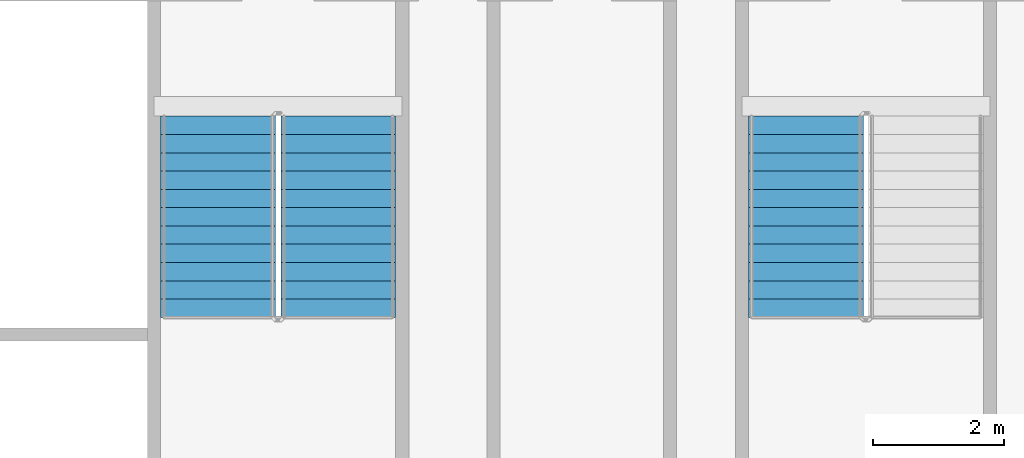
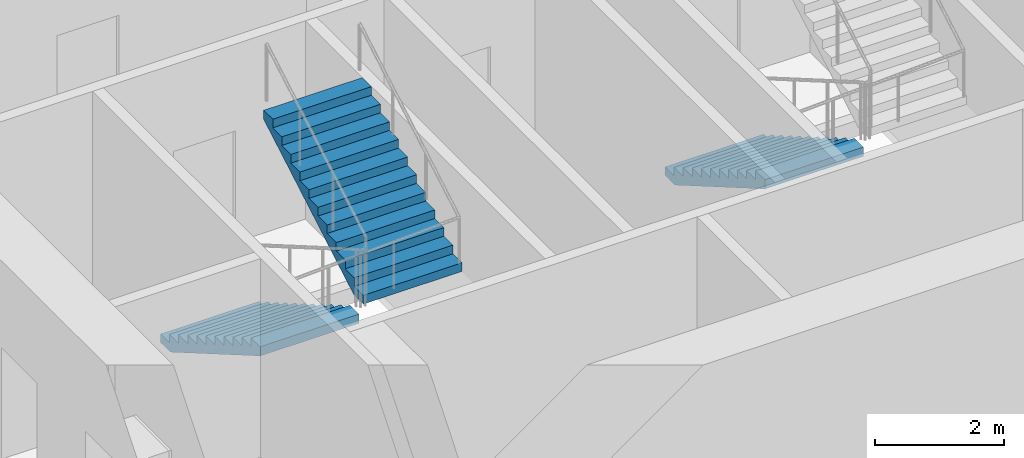
# One storey, part 8 of 15: 3 stair flights, 2 elements without a shape of their own.
"""IFC4 building model written with IfcOpenShell, lengths in metres."""

from ifc_helpers import new_model, si_unit, direction, frame, origin, place, context, subcontext, project, spatial, faceted_brep, material, type_object, element, aggregate, save


model = new_model("IFC4")

# Units and contexts
model_context = context("Model", 3, precision=1e-05, world=origin(), true_north=direction((0.0, 1.0)))
body_context = subcontext(model_context, "Body", "Model", "MODEL_VIEW")
ifc_project = project(units=[si_unit("LENGTHUNIT", "METRE"), si_unit("AREAUNIT", "SQUARE_METRE"), si_unit("VOLUMEUNIT", "CUBIC_METRE"), si_unit("PLANEANGLEUNIT", "RADIAN"), si_unit("MASSUNIT", "GRAM", prefix="KILO")], contexts=[model_context])

# Site, building, storey
site_placement = place(None, origin())
site = spatial("IfcSite", under=ifc_project, at=site_placement, CompositionType="ELEMENT")
building_placement = place(site_placement, origin())
building = spatial("IfcBuilding", under=site, at=building_placement, Name="Tarsis Ring Headquarters", CompositionType="ELEMENT")
storey_placement = place(building_placement, frame((0.0, 0.0, 51.699951171875)))
storey = spatial("IfcBuildingStorey", under=building, at=storey_placement, Name="L10", CompositionType="ELEMENT", Elevation=51.699951171875)

# Stair, stair flights
ifc_material_1 = material(Name="Core stair 1760")
stair_type = type_object("IfcStairType", Name="Core stair 1760", PredefinedType="HALF_TURN_STAIR", material=ifc_material_1)
stair_1_placement = place(storey_placement, origin())
stair_1 = element("IfcStair", 1, at=stair_1_placement, inside=storey, type_object=stair_type, Name="L10 Exit stair C", PredefinedType="HALF_TURN_STAIR")
ifc_material_2 = material(Name="Concrete C40/50", Category="concrete")
stair_flight_type = type_object("IfcStairFlightType", Name="Core stair flight 1760", PredefinedType="STRAIGHT", material=ifc_material_2)
stair_flight_1_placement = place(storey_placement, frame((-5.419921875, -3.659912109375, 0.0), z_axis=(0.0, 0.0, 1.0), x_axis=(0.0, -1.0, 0.0)))
stair_flight_1 = element("IfcStairFlight", 2, at=stair_flight_1_placement, type_object=stair_flight_type, Name="Stair ST3 flight 1", NumberOfRisers=12, NumberOfTreads=11, PredefinedType="STRAIGHT", RiserHeight=0.1625, TreadLength=0.28, context=body_context, shape_type="Brep", body=[
    faceted_brep([(0.0, 0.8798828125, 0.0), (0.0, 0.8798828125, 0.16259765625), (0.280029296875, 0.8798828125, 0.16259765625), (0.280029296875, 0.8798828125, 0.324951171875), (0.56005859375, 0.8798828125, 0.324951171875), (0.56005859375, 0.8798828125, 0.487548828125), (0.840087890625, 0.8798828125, 0.487548828125), (0.840087890625, 0.8798828125, 0.64990234375), (1.1201171875, 0.8798828125, 0.64990234375), (1.1201171875, 0.8798828125, 0.8125), (1.39990234375, 0.8798828125, 0.8125), (1.39990234375, 0.8798828125, 0.97509765625), (1.679931640625, 0.8798828125, 0.97509765625), (1.679931640625, 0.8798828125, 1.137451171875), (1.9599609375, 0.8798828125, 1.137451171875), (1.9599609375, 0.8798828125, 1.300048828125), (2.239990234375, 0.8798828125, 1.300048828125), (2.239990234375, 0.8798828125, 1.46240234375), (2.52001953125, 0.8798828125, 1.46240234375), (2.52001953125, 0.8798828125, 1.625), (2.800048828125, 0.8798828125, 1.625), (2.800048828125, 0.8798828125, 1.78759765625), (3.080078125, 0.8798828125, 1.78759765625), (3.080078125, 0.8798828125, 1.6142578125), (0.298583984375, 0.8798828125, 0.0), (0.298583984375, -0.8798828125, 0.0), (3.080078125, -0.8798828125, 1.6142578125), (3.080078125, -0.8798828125, 1.78759765625), (2.800048828125, -0.8798828125, 1.78759765625), (2.800048828125, -0.8798828125, 1.625), (2.52001953125, -0.8798828125, 1.625), (2.52001953125, -0.8798828125, 1.46240234375), (2.239990234375, -0.8798828125, 1.46240234375), (2.239990234375, -0.8798828125, 1.300048828125), (1.9599609375, -0.8798828125, 1.300048828125), (1.9599609375, -0.8798828125, 1.137451171875), (1.679931640625, -0.8798828125, 1.137451171875), (1.679931640625, -0.8798828125, 0.97509765625), (1.39990234375, -0.8798828125, 0.97509765625), (1.39990234375, -0.8798828125, 0.8125), (1.1201171875, -0.8798828125, 0.8125), (1.1201171875, -0.8798828125, 0.64990234375), (0.840087890625, -0.8798828125, 0.64990234375), (0.840087890625, -0.8798828125, 0.487548828125), (0.56005859375, -0.8798828125, 0.487548828125), (0.56005859375, -0.8798828125, 0.324951171875), (0.280029296875, -0.8798828125, 0.324951171875), (0.280029296875, -0.8798828125, 0.16259765625), (0.0, -0.8798828125, 0.16259765625), (0.0, -0.8798828125, 0.0), (0.0, -0.43994140625, 0.16259765625), (0.0, -0.43994140625, 0.0), (0.0, 0.0, 0.16259765625), (0.0, 0.0, 0.0), (0.0, 0.43994140625, 0.16259765625), (0.0, 0.43994140625, 0.0), (0.280029296875, -0.43994140625, 0.16259765625), (0.280029296875, 0.0, 0.16259765625), (0.280029296875, 0.43994140625, 0.16259765625), (0.280029296875, -0.43994140625, 0.324951171875), (0.280029296875, 0.0, 0.324951171875), (0.280029296875, 0.43994140625, 0.324951171875), (0.56005859375, -0.43994140625, 0.324951171875), (0.56005859375, 0.0, 0.324951171875), (0.56005859375, 0.43994140625, 0.324951171875), (0.56005859375, -0.43994140625, 0.487548828125), (0.56005859375, 0.0, 0.487548828125), (0.56005859375, 0.43994140625, 0.487548828125), (0.840087890625, -0.43994140625, 0.487548828125), (0.840087890625, 0.0, 0.487548828125), (0.840087890625, 0.43994140625, 0.487548828125), (0.840087890625, -0.43994140625, 0.64990234375), (0.840087890625, 0.0, 0.64990234375), (0.840087890625, 0.43994140625, 0.64990234375), (1.1201171875, -0.43994140625, 0.64990234375), (1.1201171875, 0.0, 0.64990234375), (1.1201171875, 0.43994140625, 0.64990234375), (1.1201171875, -0.43994140625, 0.8125), (1.1201171875, 0.0, 0.8125), (1.1201171875, 0.43994140625, 0.8125), (1.39990234375, -0.43994140625, 0.8125), (1.39990234375, 0.0, 0.8125), (1.39990234375, 0.43994140625, 0.8125), (1.39990234375, -0.43994140625, 0.97509765625), (1.39990234375, 0.0, 0.97509765625), (1.39990234375, 0.43994140625, 0.97509765625), (1.679931640625, -0.43994140625, 0.97509765625), (1.679931640625, 0.0, 0.97509765625), (1.679931640625, 0.43994140625, 0.97509765625), (1.679931640625, -0.43994140625, 1.137451171875), (1.679931640625, 0.0, 1.137451171875), (1.679931640625, 0.43994140625, 1.137451171875), (1.9599609375, -0.43994140625, 1.137451171875), (1.9599609375, 0.0, 1.137451171875), (1.9599609375, 0.43994140625, 1.137451171875), (1.9599609375, -0.43994140625, 1.300048828125), (1.9599609375, 0.0, 1.300048828125), (1.9599609375, 0.43994140625, 1.300048828125), (2.239990234375, -0.43994140625, 1.300048828125), (2.239990234375, 0.0, 1.300048828125), (2.239990234375, 0.43994140625, 1.300048828125), (2.239990234375, -0.43994140625, 1.46240234375), (2.239990234375, 0.0, 1.46240234375), (2.239990234375, 0.43994140625, 1.46240234375), (2.52001953125, -0.43994140625, 1.46240234375), (2.52001953125, 0.0, 1.46240234375), (2.52001953125, 0.43994140625, 1.46240234375), (2.52001953125, -0.43994140625, 1.625), (2.52001953125, 0.0, 1.625), (2.52001953125, 0.43994140625, 1.625), (2.800048828125, -0.43994140625, 1.625), (2.800048828125, 0.0, 1.625), (2.800048828125, 0.43994140625, 1.625), (2.800048828125, -0.43994140625, 1.78759765625), (2.800048828125, 0.0, 1.78759765625), (2.800048828125, 0.43994140625, 1.78759765625), (3.080078125, -0.43994140625, 1.78759765625), (3.080078125, 0.0, 1.78759765625), (3.080078125, 0.43994140625, 1.78759765625), (3.080078125, -0.43994140625, 1.6142578125), (3.080078125, 0.0, 1.6142578125), (3.080078125, 0.43994140625, 1.6142578125), (0.298583984375, -0.43994140625, 0.0), (0.298583984375, 0.0, 0.0), (0.298583984375, 0.43994140625, 0.0)], [[[0, 1, 2, 3, 4, 5, 6, 7, 8, 9, 10, 11, 12, 13, 14, 15, 16, 17, 18, 19, 20, 21, 22, 23, 24]], [[25, 26, 27, 28, 29, 30, 31, 32, 33, 34, 35, 36, 37, 38, 39, 40, 41, 42, 43, 44, 45, 46, 47, 48, 49]], [[49, 48, 50, 51]], [[51, 50, 52, 53]], [[53, 52, 54, 55]], [[55, 54, 1, 0]], [[48, 47, 56, 50]], [[50, 56, 57, 52]], [[52, 57, 58, 54]], [[54, 58, 2, 1]], [[47, 46, 59, 56]], [[56, 59, 60, 57]], [[57, 60, 61, 58]], [[58, 61, 3, 2]], [[46, 45, 62, 59]], [[59, 62, 63, 60]], [[60, 63, 64, 61]], [[61, 64, 4, 3]], [[45, 44, 65, 62]], [[62, 65, 66, 63]], [[63, 66, 67, 64]], [[64, 67, 5, 4]], [[44, 43, 68, 65]], [[65, 68, 69, 66]], [[66, 69, 70, 67]], [[67, 70, 6, 5]], [[43, 42, 71, 68]], [[68, 71, 72, 69]], [[69, 72, 73, 70]], [[70, 73, 7, 6]], [[42, 41, 74, 71]], [[71, 74, 75, 72]], [[72, 75, 76, 73]], [[73, 76, 8, 7]], [[41, 40, 77, 74]], [[74, 77, 78, 75]], [[75, 78, 79, 76]], [[76, 79, 9, 8]], [[40, 39, 80, 77]], [[77, 80, 81, 78]], [[78, 81, 82, 79]], [[79, 82, 10, 9]], [[39, 38, 83, 80]], [[80, 83, 84, 81]], [[81, 84, 85, 82]], [[82, 85, 11, 10]], [[38, 37, 86, 83]], [[83, 86, 87, 84]], [[84, 87, 88, 85]], [[85, 88, 12, 11]], [[37, 36, 89, 86]], [[86, 89, 90, 87]], [[87, 90, 91, 88]], [[88, 91, 13, 12]], [[36, 35, 92, 89]], [[89, 92, 93, 90]], [[90, 93, 94, 91]], [[91, 94, 14, 13]], [[35, 34, 95, 92]], [[92, 95, 96, 93]], [[93, 96, 97, 94]], [[94, 97, 15, 14]], [[34, 33, 98, 95]], [[95, 98, 99, 96]], [[96, 99, 100, 97]], [[97, 100, 16, 15]], [[33, 32, 101, 98]], [[98, 101, 102, 99]], [[99, 102, 103, 100]], [[100, 103, 17, 16]], [[32, 31, 104, 101]], [[101, 104, 105, 102]], [[102, 105, 106, 103]], [[103, 106, 18, 17]], [[31, 30, 107, 104]], [[104, 107, 108, 105]], [[105, 108, 109, 106]], [[106, 109, 19, 18]], [[30, 29, 110, 107]], [[107, 110, 111, 108]], [[108, 111, 112, 109]], [[109, 112, 20, 19]], [[29, 28, 113, 110]], [[110, 113, 114, 111]], [[111, 114, 115, 112]], [[112, 115, 21, 20]], [[28, 27, 116, 113]], [[113, 116, 117, 114]], [[114, 117, 118, 115]], [[115, 118, 22, 21]], [[27, 26, 119, 116]], [[116, 119, 120, 117]], [[117, 120, 121, 118]], [[118, 121, 23, 22]], [[26, 25, 122, 119]], [[119, 122, 123, 120]], [[120, 123, 124, 121]], [[121, 124, 24, 23]], [[25, 49, 51, 122]], [[122, 51, 53, 123]], [[123, 53, 55, 124]], [[124, 55, 0, 24]]]),
])
stair_flight_2_placement = place(storey_placement, frame((-3.580078125, -6.739990234375, 1.949951171875), z_axis=(0.0, 0.0, 1.0), x_axis=(0.0, 1.0, 0.0)))
stair_flight_2 = element("IfcStairFlight", 3, at=stair_flight_2_placement, type_object=stair_flight_type, Name="Stair ST3 flight 2", NumberOfRisers=12, NumberOfTreads=11, PredefinedType="STRAIGHT", RiserHeight=0.1625, TreadLength=0.28, context=body_context, shape_type="Brep", body=[
    faceted_brep([(0.0, 0.8798828125, 0.0), (0.0, 0.8798828125, 0.16259765625), (0.280029296875, 0.8798828125, 0.16259765625), (0.280029296875, 0.8798828125, 0.324951171875), (0.56005859375, 0.8798828125, 0.324951171875), (0.56005859375, 0.8798828125, 0.487548828125), (0.840087890625, 0.8798828125, 0.487548828125), (0.840087890625, 0.8798828125, 0.64990234375), (1.1201171875, 0.8798828125, 0.64990234375), (1.1201171875, 0.8798828125, 0.8125), (1.39990234375, 0.8798828125, 0.8125), (1.39990234375, 0.8798828125, 0.97509765625), (1.679931640625, 0.8798828125, 0.97509765625), (1.679931640625, 0.8798828125, 1.137451171875), (1.9599609375, 0.8798828125, 1.137451171875), (1.9599609375, 0.8798828125, 1.300048828125), (2.239990234375, 0.8798828125, 1.300048828125), (2.239990234375, 0.8798828125, 1.46240234375), (2.52001953125, 0.8798828125, 1.46240234375), (2.52001953125, 0.8798828125, 1.625), (2.800048828125, 0.8798828125, 1.625), (2.800048828125, 0.8798828125, 1.78759765625), (3.080078125, 0.8798828125, 1.78759765625), (3.080078125, 0.8798828125, 1.6142578125), (0.298583984375, 0.8798828125, 0.0), (0.298583984375, -0.8798828125, 0.0), (3.080078125, -0.8798828125, 1.6142578125), (3.080078125, -0.8798828125, 1.78759765625), (2.800048828125, -0.8798828125, 1.78759765625), (2.800048828125, -0.8798828125, 1.625), (2.52001953125, -0.8798828125, 1.625), (2.52001953125, -0.8798828125, 1.46240234375), (2.239990234375, -0.8798828125, 1.46240234375), (2.239990234375, -0.8798828125, 1.300048828125), (1.9599609375, -0.8798828125, 1.300048828125), (1.9599609375, -0.8798828125, 1.137451171875), (1.679931640625, -0.8798828125, 1.137451171875), (1.679931640625, -0.8798828125, 0.97509765625), (1.39990234375, -0.8798828125, 0.97509765625), (1.39990234375, -0.8798828125, 0.8125), (1.1201171875, -0.8798828125, 0.8125), (1.1201171875, -0.8798828125, 0.64990234375), (0.840087890625, -0.8798828125, 0.64990234375), (0.840087890625, -0.8798828125, 0.487548828125), (0.56005859375, -0.8798828125, 0.487548828125), (0.56005859375, -0.8798828125, 0.324951171875), (0.280029296875, -0.8798828125, 0.324951171875), (0.280029296875, -0.8798828125, 0.16259765625), (0.0, -0.8798828125, 0.16259765625), (0.0, -0.8798828125, 0.0), (0.0, -0.43994140625, 0.16259765625), (0.0, -0.43994140625, 0.0), (0.0, 0.0, 0.16259765625), (0.0, 0.0, 0.0), (0.0, 0.43994140625, 0.16259765625), (0.0, 0.43994140625, 0.0), (0.280029296875, -0.43994140625, 0.16259765625), (0.280029296875, 0.0, 0.16259765625), (0.280029296875, 0.43994140625, 0.16259765625), (0.280029296875, -0.43994140625, 0.324951171875), (0.280029296875, 0.0, 0.324951171875), (0.280029296875, 0.43994140625, 0.324951171875), (0.56005859375, -0.43994140625, 0.324951171875), (0.56005859375, 0.0, 0.324951171875), (0.56005859375, 0.43994140625, 0.324951171875), (0.56005859375, -0.43994140625, 0.487548828125), (0.56005859375, 0.0, 0.487548828125), (0.56005859375, 0.43994140625, 0.487548828125), (0.840087890625, -0.43994140625, 0.487548828125), (0.840087890625, 0.0, 0.487548828125), (0.840087890625, 0.43994140625, 0.487548828125), (0.840087890625, -0.43994140625, 0.64990234375), (0.840087890625, 0.0, 0.64990234375), (0.840087890625, 0.43994140625, 0.64990234375), (1.1201171875, -0.43994140625, 0.64990234375), (1.1201171875, 0.0, 0.64990234375), (1.1201171875, 0.43994140625, 0.64990234375), (1.1201171875, -0.43994140625, 0.8125), (1.1201171875, 0.0, 0.8125), (1.1201171875, 0.43994140625, 0.8125), (1.39990234375, -0.43994140625, 0.8125), (1.39990234375, 0.0, 0.8125), (1.39990234375, 0.43994140625, 0.8125), (1.39990234375, -0.43994140625, 0.97509765625), (1.39990234375, 0.0, 0.97509765625), (1.39990234375, 0.43994140625, 0.97509765625), (1.679931640625, -0.43994140625, 0.97509765625), (1.679931640625, 0.0, 0.97509765625), (1.679931640625, 0.43994140625, 0.97509765625), (1.679931640625, -0.43994140625, 1.137451171875), (1.679931640625, 0.0, 1.137451171875), (1.679931640625, 0.43994140625, 1.137451171875), (1.9599609375, -0.43994140625, 1.137451171875), (1.9599609375, 0.0, 1.137451171875), (1.9599609375, 0.43994140625, 1.137451171875), (1.9599609375, -0.43994140625, 1.300048828125), (1.9599609375, 0.0, 1.300048828125), (1.9599609375, 0.43994140625, 1.300048828125), (2.239990234375, -0.43994140625, 1.300048828125), (2.239990234375, 0.0, 1.300048828125), (2.239990234375, 0.43994140625, 1.300048828125), (2.239990234375, -0.43994140625, 1.46240234375), (2.239990234375, 0.0, 1.46240234375), (2.239990234375, 0.43994140625, 1.46240234375), (2.52001953125, -0.43994140625, 1.46240234375), (2.52001953125, 0.0, 1.46240234375), (2.52001953125, 0.43994140625, 1.46240234375), (2.52001953125, -0.43994140625, 1.625), (2.52001953125, 0.0, 1.625), (2.52001953125, 0.43994140625, 1.625), (2.800048828125, -0.43994140625, 1.625), (2.800048828125, 0.0, 1.625), (2.800048828125, 0.43994140625, 1.625), (2.800048828125, -0.43994140625, 1.78759765625), (2.800048828125, 0.0, 1.78759765625), (2.800048828125, 0.43994140625, 1.78759765625), (3.080078125, -0.43994140625, 1.78759765625), (3.080078125, 0.0, 1.78759765625), (3.080078125, 0.43994140625, 1.78759765625), (3.080078125, -0.43994140625, 1.6142578125), (3.080078125, 0.0, 1.6142578125), (3.080078125, 0.43994140625, 1.6142578125), (0.298583984375, -0.43994140625, 0.0), (0.298583984375, 0.0, 0.0), (0.298583984375, 0.43994140625, 0.0)], [[[0, 1, 2, 3, 4, 5, 6, 7, 8, 9, 10, 11, 12, 13, 14, 15, 16, 17, 18, 19, 20, 21, 22, 23, 24]], [[25, 26, 27, 28, 29, 30, 31, 32, 33, 34, 35, 36, 37, 38, 39, 40, 41, 42, 43, 44, 45, 46, 47, 48, 49]], [[49, 48, 50, 51]], [[51, 50, 52, 53]], [[53, 52, 54, 55]], [[55, 54, 1, 0]], [[48, 47, 56, 50]], [[50, 56, 57, 52]], [[52, 57, 58, 54]], [[54, 58, 2, 1]], [[47, 46, 59, 56]], [[56, 59, 60, 57]], [[57, 60, 61, 58]], [[58, 61, 3, 2]], [[46, 45, 62, 59]], [[59, 62, 63, 60]], [[60, 63, 64, 61]], [[61, 64, 4, 3]], [[45, 44, 65, 62]], [[62, 65, 66, 63]], [[63, 66, 67, 64]], [[64, 67, 5, 4]], [[44, 43, 68, 65]], [[65, 68, 69, 66]], [[66, 69, 70, 67]], [[67, 70, 6, 5]], [[43, 42, 71, 68]], [[68, 71, 72, 69]], [[69, 72, 73, 70]], [[70, 73, 7, 6]], [[42, 41, 74, 71]], [[71, 74, 75, 72]], [[72, 75, 76, 73]], [[73, 76, 8, 7]], [[41, 40, 77, 74]], [[74, 77, 78, 75]], [[75, 78, 79, 76]], [[76, 79, 9, 8]], [[40, 39, 80, 77]], [[77, 80, 81, 78]], [[78, 81, 82, 79]], [[79, 82, 10, 9]], [[39, 38, 83, 80]], [[80, 83, 84, 81]], [[81, 84, 85, 82]], [[82, 85, 11, 10]], [[38, 37, 86, 83]], [[83, 86, 87, 84]], [[84, 87, 88, 85]], [[85, 88, 12, 11]], [[37, 36, 89, 86]], [[86, 89, 90, 87]], [[87, 90, 91, 88]], [[88, 91, 13, 12]], [[36, 35, 92, 89]], [[89, 92, 93, 90]], [[90, 93, 94, 91]], [[91, 94, 14, 13]], [[35, 34, 95, 92]], [[92, 95, 96, 93]], [[93, 96, 97, 94]], [[94, 97, 15, 14]], [[34, 33, 98, 95]], [[95, 98, 99, 96]], [[96, 99, 100, 97]], [[97, 100, 16, 15]], [[33, 32, 101, 98]], [[98, 101, 102, 99]], [[99, 102, 103, 100]], [[100, 103, 17, 16]], [[32, 31, 104, 101]], [[101, 104, 105, 102]], [[102, 105, 106, 103]], [[103, 106, 18, 17]], [[31, 30, 107, 104]], [[104, 107, 108, 105]], [[105, 108, 109, 106]], [[106, 109, 19, 18]], [[30, 29, 110, 107]], [[107, 110, 111, 108]], [[108, 111, 112, 109]], [[109, 112, 20, 19]], [[29, 28, 113, 110]], [[110, 113, 114, 111]], [[111, 114, 115, 112]], [[112, 115, 21, 20]], [[28, 27, 116, 113]], [[113, 116, 117, 114]], [[114, 117, 118, 115]], [[115, 118, 22, 21]], [[27, 26, 119, 116]], [[116, 119, 120, 117]], [[117, 120, 121, 118]], [[118, 121, 23, 22]], [[26, 25, 122, 119]], [[119, 122, 123, 120]], [[120, 123, 124, 121]], [[121, 124, 24, 23]], [[25, 49, 51, 122]], [[122, 51, 53, 123]], [[123, 53, 55, 124]], [[124, 55, 0, 24]]]),
])
aggregate(stair_1, [stair_flight_1, stair_flight_2])

# Stair, stair flight
stair_2_placement = place(storey_placement, origin())
stair_2 = element("IfcStair", 4, at=stair_2_placement, inside=storey, type_object=stair_type, Name="L10 Exit stair D", PredefinedType="HALF_TURN_STAIR")
stair_flight_3_placement = place(storey_placement, frame((3.580078125, -3.659912109375, 0.0), z_axis=(0.0, 0.0, 1.0), x_axis=(0.0, -1.0, 0.0)))
stair_flight_3 = element("IfcStairFlight", 5, at=stair_flight_3_placement, type_object=stair_flight_type, Name="Stair ST4 flight 1", NumberOfRisers=12, NumberOfTreads=11, PredefinedType="STRAIGHT", RiserHeight=0.1625, TreadLength=0.28, context=body_context, shape_type="Brep", body=[
    faceted_brep([(0.0, 0.8798828125, 0.0), (0.0, 0.8798828125, 0.16259765625), (0.280029296875, 0.8798828125, 0.16259765625), (0.280029296875, 0.8798828125, 0.324951171875), (0.56005859375, 0.8798828125, 0.324951171875), (0.56005859375, 0.8798828125, 0.487548828125), (0.840087890625, 0.8798828125, 0.487548828125), (0.840087890625, 0.8798828125, 0.64990234375), (1.1201171875, 0.8798828125, 0.64990234375), (1.1201171875, 0.8798828125, 0.8125), (1.39990234375, 0.8798828125, 0.8125), (1.39990234375, 0.8798828125, 0.97509765625), (1.679931640625, 0.8798828125, 0.97509765625), (1.679931640625, 0.8798828125, 1.137451171875), (1.9599609375, 0.8798828125, 1.137451171875), (1.9599609375, 0.8798828125, 1.300048828125), (2.239990234375, 0.8798828125, 1.300048828125), (2.239990234375, 0.8798828125, 1.46240234375), (2.52001953125, 0.8798828125, 1.46240234375), (2.52001953125, 0.8798828125, 1.625), (2.800048828125, 0.8798828125, 1.625), (2.800048828125, 0.8798828125, 1.78759765625), (3.080078125, 0.8798828125, 1.78759765625), (3.080078125, 0.8798828125, 1.6142578125), (0.298583984375, 0.8798828125, 0.0), (0.298583984375, -0.8798828125, 0.0), (3.080078125, -0.8798828125, 1.6142578125), (3.080078125, -0.8798828125, 1.78759765625), (2.800048828125, -0.8798828125, 1.78759765625), (2.800048828125, -0.8798828125, 1.625), (2.52001953125, -0.8798828125, 1.625), (2.52001953125, -0.8798828125, 1.46240234375), (2.239990234375, -0.8798828125, 1.46240234375), (2.239990234375, -0.8798828125, 1.300048828125), (1.9599609375, -0.8798828125, 1.300048828125), (1.9599609375, -0.8798828125, 1.137451171875), (1.679931640625, -0.8798828125, 1.137451171875), (1.679931640625, -0.8798828125, 0.97509765625), (1.39990234375, -0.8798828125, 0.97509765625), (1.39990234375, -0.8798828125, 0.8125), (1.1201171875, -0.8798828125, 0.8125), (1.1201171875, -0.8798828125, 0.64990234375), (0.840087890625, -0.8798828125, 0.64990234375), (0.840087890625, -0.8798828125, 0.487548828125), (0.56005859375, -0.8798828125, 0.487548828125), (0.56005859375, -0.8798828125, 0.324951171875), (0.280029296875, -0.8798828125, 0.324951171875), (0.280029296875, -0.8798828125, 0.16259765625), (0.0, -0.8798828125, 0.16259765625), (0.0, -0.8798828125, 0.0), (0.0, -0.43994140625, 0.16259765625), (0.0, -0.43994140625, 0.0), (0.0, 0.0, 0.16259765625), (0.0, 0.0, 0.0), (0.0, 0.43994140625, 0.16259765625), (0.0, 0.43994140625, 0.0), (0.280029296875, -0.43994140625, 0.16259765625), (0.280029296875, 0.0, 0.16259765625), (0.280029296875, 0.43994140625, 0.16259765625), (0.280029296875, -0.43994140625, 0.324951171875), (0.280029296875, 0.0, 0.324951171875), (0.280029296875, 0.43994140625, 0.324951171875), (0.56005859375, -0.43994140625, 0.324951171875), (0.56005859375, 0.0, 0.324951171875), (0.56005859375, 0.43994140625, 0.324951171875), (0.56005859375, -0.43994140625, 0.487548828125), (0.56005859375, 0.0, 0.487548828125), (0.56005859375, 0.43994140625, 0.487548828125), (0.840087890625, -0.43994140625, 0.487548828125), (0.840087890625, 0.0, 0.487548828125), (0.840087890625, 0.43994140625, 0.487548828125), (0.840087890625, -0.43994140625, 0.64990234375), (0.840087890625, 0.0, 0.64990234375), (0.840087890625, 0.43994140625, 0.64990234375), (1.1201171875, -0.43994140625, 0.64990234375), (1.1201171875, 0.0, 0.64990234375), (1.1201171875, 0.43994140625, 0.64990234375), (1.1201171875, -0.43994140625, 0.8125), (1.1201171875, 0.0, 0.8125), (1.1201171875, 0.43994140625, 0.8125), (1.39990234375, -0.43994140625, 0.8125), (1.39990234375, 0.0, 0.8125), (1.39990234375, 0.43994140625, 0.8125), (1.39990234375, -0.43994140625, 0.97509765625), (1.39990234375, 0.0, 0.97509765625), (1.39990234375, 0.43994140625, 0.97509765625), (1.679931640625, -0.43994140625, 0.97509765625), (1.679931640625, 0.0, 0.97509765625), (1.679931640625, 0.43994140625, 0.97509765625), (1.679931640625, -0.43994140625, 1.137451171875), (1.679931640625, 0.0, 1.137451171875), (1.679931640625, 0.43994140625, 1.137451171875), (1.9599609375, -0.43994140625, 1.137451171875), (1.9599609375, 0.0, 1.137451171875), (1.9599609375, 0.43994140625, 1.137451171875), (1.9599609375, -0.43994140625, 1.300048828125), (1.9599609375, 0.0, 1.300048828125), (1.9599609375, 0.43994140625, 1.300048828125), (2.239990234375, -0.43994140625, 1.300048828125), (2.239990234375, 0.0, 1.300048828125), (2.239990234375, 0.43994140625, 1.300048828125), (2.239990234375, -0.43994140625, 1.46240234375), (2.239990234375, 0.0, 1.46240234375), (2.239990234375, 0.43994140625, 1.46240234375), (2.52001953125, -0.43994140625, 1.46240234375), (2.52001953125, 0.0, 1.46240234375), (2.52001953125, 0.43994140625, 1.46240234375), (2.52001953125, -0.43994140625, 1.625), (2.52001953125, 0.0, 1.625), (2.52001953125, 0.43994140625, 1.625), (2.800048828125, -0.43994140625, 1.625), (2.800048828125, 0.0, 1.625), (2.800048828125, 0.43994140625, 1.625), (2.800048828125, -0.43994140625, 1.78759765625), (2.800048828125, 0.0, 1.78759765625), (2.800048828125, 0.43994140625, 1.78759765625), (3.080078125, -0.43994140625, 1.78759765625), (3.080078125, 0.0, 1.78759765625), (3.080078125, 0.43994140625, 1.78759765625), (3.080078125, -0.43994140625, 1.6142578125), (3.080078125, 0.0, 1.6142578125), (3.080078125, 0.43994140625, 1.6142578125), (0.298583984375, -0.43994140625, 0.0), (0.298583984375, 0.0, 0.0), (0.298583984375, 0.43994140625, 0.0)], [[[0, 1, 2, 3, 4, 5, 6, 7, 8, 9, 10, 11, 12, 13, 14, 15, 16, 17, 18, 19, 20, 21, 22, 23, 24]], [[25, 26, 27, 28, 29, 30, 31, 32, 33, 34, 35, 36, 37, 38, 39, 40, 41, 42, 43, 44, 45, 46, 47, 48, 49]], [[49, 48, 50, 51]], [[51, 50, 52, 53]], [[53, 52, 54, 55]], [[55, 54, 1, 0]], [[48, 47, 56, 50]], [[50, 56, 57, 52]], [[52, 57, 58, 54]], [[54, 58, 2, 1]], [[47, 46, 59, 56]], [[56, 59, 60, 57]], [[57, 60, 61, 58]], [[58, 61, 3, 2]], [[46, 45, 62, 59]], [[59, 62, 63, 60]], [[60, 63, 64, 61]], [[61, 64, 4, 3]], [[45, 44, 65, 62]], [[62, 65, 66, 63]], [[63, 66, 67, 64]], [[64, 67, 5, 4]], [[44, 43, 68, 65]], [[65, 68, 69, 66]], [[66, 69, 70, 67]], [[67, 70, 6, 5]], [[43, 42, 71, 68]], [[68, 71, 72, 69]], [[69, 72, 73, 70]], [[70, 73, 7, 6]], [[42, 41, 74, 71]], [[71, 74, 75, 72]], [[72, 75, 76, 73]], [[73, 76, 8, 7]], [[41, 40, 77, 74]], [[74, 77, 78, 75]], [[75, 78, 79, 76]], [[76, 79, 9, 8]], [[40, 39, 80, 77]], [[77, 80, 81, 78]], [[78, 81, 82, 79]], [[79, 82, 10, 9]], [[39, 38, 83, 80]], [[80, 83, 84, 81]], [[81, 84, 85, 82]], [[82, 85, 11, 10]], [[38, 37, 86, 83]], [[83, 86, 87, 84]], [[84, 87, 88, 85]], [[85, 88, 12, 11]], [[37, 36, 89, 86]], [[86, 89, 90, 87]], [[87, 90, 91, 88]], [[88, 91, 13, 12]], [[36, 35, 92, 89]], [[89, 92, 93, 90]], [[90, 93, 94, 91]], [[91, 94, 14, 13]], [[35, 34, 95, 92]], [[92, 95, 96, 93]], [[93, 96, 97, 94]], [[94, 97, 15, 14]], [[34, 33, 98, 95]], [[95, 98, 99, 96]], [[96, 99, 100, 97]], [[97, 100, 16, 15]], [[33, 32, 101, 98]], [[98, 101, 102, 99]], [[99, 102, 103, 100]], [[100, 103, 17, 16]], [[32, 31, 104, 101]], [[101, 104, 105, 102]], [[102, 105, 106, 103]], [[103, 106, 18, 17]], [[31, 30, 107, 104]], [[104, 107, 108, 105]], [[105, 108, 109, 106]], [[106, 109, 19, 18]], [[30, 29, 110, 107]], [[107, 110, 111, 108]], [[108, 111, 112, 109]], [[109, 112, 20, 19]], [[29, 28, 113, 110]], [[110, 113, 114, 111]], [[111, 114, 115, 112]], [[112, 115, 21, 20]], [[28, 27, 116, 113]], [[113, 116, 117, 114]], [[114, 117, 118, 115]], [[115, 118, 22, 21]], [[27, 26, 119, 116]], [[116, 119, 120, 117]], [[117, 120, 121, 118]], [[118, 121, 23, 22]], [[26, 25, 122, 119]], [[119, 122, 123, 120]], [[120, 123, 124, 121]], [[121, 124, 24, 23]], [[25, 49, 51, 122]], [[122, 51, 53, 123]], [[123, 53, 55, 124]], [[124, 55, 0, 24]]]),
])
aggregate(stair_2, [stair_flight_3])

save(model, "model.ifc")
